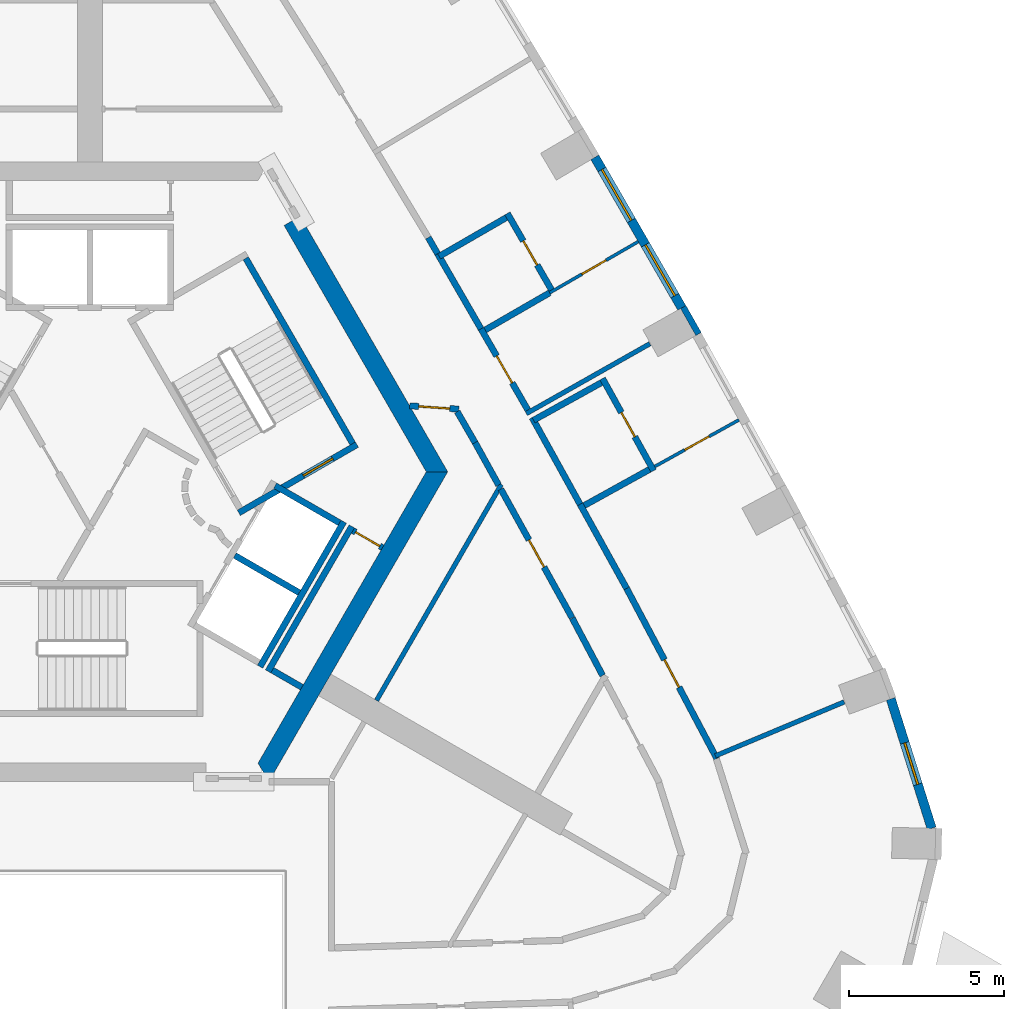
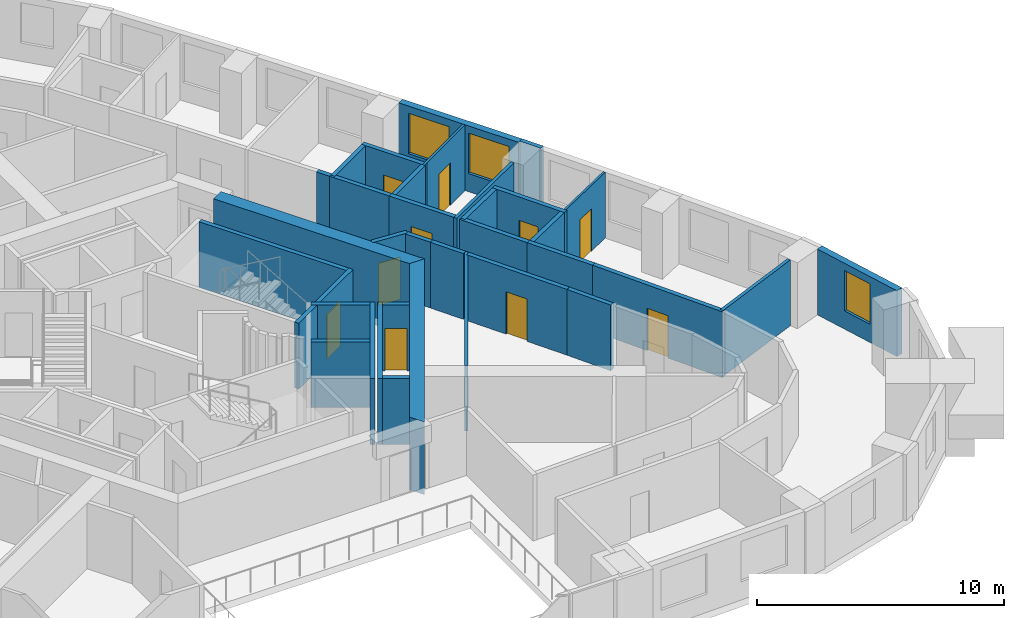
# One storey, part 7 of 13: 35 walls, 10 doors, 3 windows, 13 openings.
"""IFC4 building model written with IfcOpenShell, lengths in metres."""

from ifc_helpers import new_model, si_unit, direction, frame, frame_2d, origin, place, context, subcontext, project, spatial, polyline, rectangle, outline, extrude, material, layer, layer_set, type_object, element, fill, save


model = new_model("IFC4")

# Units and contexts
model_context = context("Model", 3, precision=1e-05, world=origin(), true_north=direction((0.0, 1.0)))
body_context = subcontext(model_context, "Body", "Model", "MODEL_VIEW")
ifc_project = project(units=[si_unit("LENGTHUNIT", "METRE"), si_unit("AREAUNIT", "SQUARE_METRE"), si_unit("VOLUMEUNIT", "CUBIC_METRE"), si_unit("PLANEANGLEUNIT", "RADIAN"), si_unit("MASSUNIT", "GRAM", prefix="KILO")], contexts=[model_context])

# Site, building, storey
site_placement = place(None, origin())
site = spatial("IfcSite", under=ifc_project, at=site_placement, CompositionType="ELEMENT")
building_placement = place(site_placement, origin())
building = spatial("IfcBuilding", under=site, at=building_placement, Name="Entoto Arch Interchange Tower", CompositionType="ELEMENT")
storey_placement = place(building_placement, frame((0.0, 0.0, 270.199951171875)))
storey = spatial("IfcBuildingStorey", under=building, at=storey_placement, Name="L62", CompositionType="ELEMENT", Elevation=270.199951171875)

# Walls
ifc_material_1 = material(Name="Concrete C40/50", Category="concrete")
ifc_layer_1 = layer(ifc_material_1, 0.60009765625)
ifc_layer_set_1 = layer_set([ifc_layer_1], Name="Concrete C40/50")
wall_type_1 = type_object("IfcWallType", Name="Core wall 600 C40/50", PredefinedType="SHEAR", material=ifc_layer_set_1)
wall_1_placement = place(storey_placement, frame((0.0, 0.0, -0.33984375)))
element("IfcWall", 1, at=wall_1_placement, inside=storey, type_object=wall_type_1, Name="Core wall NE L62", PredefinedType="SHEAR", context=body_context, shape_type="SweptSolid", body=[
    extrude(outline(polyline([(6.785888671875, 10.7470703125), (6.26611328125, 10.447021484375), (10.85400390625, 2.5), (11.547119140625, 2.5), (6.785888671875, 10.7470703125)])), origin(), (0.0, 0.0, 1.0), 3.599853515625),
])
wall_2_placement = place(storey_placement, frame((0.0, 0.0, -0.33984375)))
element("IfcWall", 2, at=wall_2_placement, inside=storey, type_object=wall_type_1, Name="Core wall SE L62", PredefinedType="SHEAR", context=body_context, shape_type="SweptSolid", body=[
    extrude(outline(polyline([(5.77392578125, -7.5), (11.547119140625, 2.5), (10.85400390625, 2.5), (5.427001953125, -6.89990234375), (5.77392578125, -7.5)])), origin(), (0.0, 0.0, 1.0), 3.599853515625),
])
ifc_layer_2 = layer(ifc_material_1, 0.199951171875)
ifc_layer_set_2 = layer_set([ifc_layer_2], Name="Concrete C40/50")
wall_type_2 = type_object("IfcWallType", Name="LIFT SHAFT WALL 200", PredefinedType="STANDARD", material=ifc_layer_set_2)
wall_3_placement = place(storey_placement, frame((5.491943359375, -3.7880859375, 0.0), z_axis=(0.0, 0.0, 1.0), x_axis=(0.500034260056, 0.866005622828, 0.0)))
element("IfcWall", 3, at=wall_3_placement, inside=storey, type_object=wall_type_2, Name="Shaft wall SE1 back", PredefinedType="STANDARD", context=body_context, shape_type="SweptSolid", body=[
    extrude(rectangle(XDim=5.3994140625, YDim=0.199951171875, at=frame_2d((2.69970703125, 0.0))), origin(), (0.0, 0.0, 1.0), 3.260009765625),
])
for number, where, z_axis, x_axis, name in (
    (4, (4.677001953125, -0.199951171875, 0.0), (0.0, 0.0, 1.0), (0.865973769406, -0.500089422704, 0.0), "Shaft wall SE1 cross 2"),
    (5, (5.97705078125, 2.052001953125, 0.0), (0.0, 0.0, 1.0), (0.865973769406, -0.500089422704, 0.0), "Shaft wall SE1 cross 3"),
):
    element("IfcWall", number, at=place(storey_placement, frame(where, z_axis=z_axis, x_axis=x_axis)), inside=storey, type_object=wall_type_2, Name=name, PredefinedType="STANDARD", context=body_context, shape_type="SweptSolid", body=[
        extrude(rectangle(XDim=2.3994140625, YDim=0.199951171875, at=frame_2d((1.19970703125, 0.0))), origin(), (0.0, 0.0, 1.0), 3.260009765625),
    ])

# Wall, opening, door
ifc_material_2 = material(Name="Gypsum board partition on steel studs", Category="steel")
ifc_layer_3 = layer(ifc_material_2, 0.10009765625)
ifc_layer_set_3 = layer_set([ifc_layer_3], Name="Gypsum board partition on steel studs")
wall_type_3 = type_object("IfcWallType", Name="PARTITION 100", PredefinedType="PARTITIONING", material=ifc_layer_set_3)
wall_4_placement = place(storey_placement, frame((18.22802734375, 2.6708984375, 0.0), z_axis=(0.0, 0.0, 1.0), x_axis=(0.874895591854, 0.484311576729, 0.0)))
wall_4 = element("IfcWall", 6, at=wall_4_placement, inside=storey, type_object=wall_type_3, Name="wall:L62:p113", PredefinedType="PARTITIONING", context=body_context, shape_type="SweptSolid", body=[
    extrude(rectangle(XDim=3.099609375, YDim=0.10009765625, at=frame_2d((1.5498046875, 0.0))), origin(), (0.0, 0.0, 1.0), 3.260009765625),
])
opening_1_placement = place(wall_4_placement, frame((1.10009765625, 0.0, 0.0)))
opening_1 = element("IfcOpeningElement", 7, at=opening_1_placement, cuts=wall_4, Name="Opening L62-D02", PredefinedType="OPENING", context=body_context, shape_type="SweptSolid", body=[
    extrude(rectangle(XDim=0.89990234375, YDim=2.10009765625, at=frame_2d((0.449951171875, 1.050048828125))), frame((0.0, 0.06005859375, 0.0), z_axis=(0.0, -1.0, 0.0), x_axis=(1.0, 0.0, 0.0)), (0.0, 0.0, 1.0), 0.1201171875),
])
ifc_material_3 = material(Name="Timber door leaf in Steel S235 frame", Category="steel")
door_type_1 = type_object("IfcDoorType", Name="DOOR DS-09 900x2100", OperationType="SINGLE_SWING_LEFT", PredefinedType="DOOR", material=ifc_material_3)
door_1_placement = place(opening_1_placement, origin())
door_1 = element("IfcDoor", 8, at=door_1_placement, inside=storey, type_object=door_type_1, Name="door:L62:02", OperationType="SINGLE_SWING_RIGHT", OverallHeight=2.10009765625, OverallWidth=0.89990234375, PredefinedType="DOOR", context=body_context, shape_type="SweptSolid", body=[
    extrude(rectangle(XDim=0.89990234375, YDim=2.10009765625, at=frame_2d((0.449951171875, 1.050048828125))), frame((0.0, 0.02490234375, 0.0), z_axis=(0.0, -1.0, 0.0), x_axis=(1.0, 0.0, 0.0)), (0.0, 0.0, 1.0), 0.050048828125),
])
fill(opening_1, door_1)

wall_5_placement = place(storey_placement, frame((14.8349609375, 8.27490234375, 0.0), z_axis=(0.0, 0.0, 1.0), x_axis=(0.8660266723, 0.49999780286, 0.0)))
wall_5 = element("IfcWall", 9, at=wall_5_placement, inside=storey, type_object=wall_type_3, Name="wall:L62:p118", PredefinedType="PARTITIONING", context=body_context, shape_type="SweptSolid", body=[
    extrude(rectangle(XDim=3.30029296875, YDim=0.10009765625, at=frame_2d((1.650146484375, 0.0))), origin(), (0.0, 0.0, 1.0), 3.260009765625),
])
opening_2_placement = place(wall_5_placement, frame((1.199951171875, 0.0, 0.0)))
opening_2 = element("IfcOpeningElement", 10, at=opening_2_placement, cuts=wall_5, Name="Opening L62-D05", PredefinedType="OPENING", context=body_context, shape_type="SweptSolid", body=[
    extrude(rectangle(XDim=0.89990234375, YDim=2.10009765625, at=frame_2d((0.449951171875, 1.050048828125))), frame((0.0, 0.06005859375, 0.0), z_axis=(0.0, -1.0, 0.0), x_axis=(1.0, 0.0, 0.0)), (0.0, 0.0, 1.0), 0.1201171875),
])
door_2_placement = place(opening_2_placement, origin())
door_2 = element("IfcDoor", 11, at=door_2_placement, inside=storey, type_object=door_type_1, Name="door:L62:05", OperationType="SINGLE_SWING_RIGHT", OverallHeight=2.10009765625, OverallWidth=0.89990234375, PredefinedType="DOOR", context=body_context, shape_type="SweptSolid", body=[
    extrude(rectangle(XDim=0.89990234375, YDim=2.10009765625, at=frame_2d((0.449951171875, 1.050048828125))), frame((0.0, 0.02490234375, 0.0), z_axis=(0.0, -1.0, 0.0), x_axis=(1.0, 0.0, 0.0)), (0.0, 0.0, 1.0), 0.050048828125),
])
fill(opening_2, door_2)

# Walls
ifc_layer_4 = layer(ifc_material_2, 0.14990234375)
ifc_layer_set_4 = layer_set([ifc_layer_4], Name="Gypsum board partition on steel studs")
wall_type_4 = type_object("IfcWallType", Name="PARTITION 150", PredefinedType="PARTITIONING", material=ifc_layer_set_4)
wall_6_placement = place(storey_placement, frame((20.18310546875, -6.666015625, 0.0), z_axis=(0.0, 0.0, 1.0), x_axis=(0.922347108299, 0.386362280525, 0.0)))
element("IfcWall", 12, at=wall_6_placement, inside=storey, type_object=wall_type_4, Name="wall:L62:p112", PredefinedType="PARTITIONING", context=body_context, shape_type="SweptSolid", body=[
    extrude(rectangle(XDim=4.50341796875, YDim=0.14990234375, at=frame_2d((2.251708984375, 0.0))), origin(), (0.0, 0.0, 1.0), 3.260009765625),
])
wall_7_placement = place(storey_placement, frame((14.0830078125, 4.376953125, 0.0), z_axis=(0.0, 0.0, 1.0), x_axis=(0.870415885751, 0.492317159799, 0.0)))
element("IfcWall", 13, at=wall_7_placement, inside=storey, type_object=wall_type_4, Name="wall:L62:p117", PredefinedType="PARTITIONING", context=body_context, shape_type="SweptSolid", body=[
    extrude(rectangle(XDim=4.58056640625, YDim=0.14990234375, at=frame_2d((2.290283203125, 0.0))), origin(), (0.0, 0.0, 1.0), 3.260009765625),
])
wall_8_placement = place(storey_placement, frame((9.25, -4.8779296875, 0.0), z_axis=(0.0, 0.0, 1.0), x_axis=(0.499982416899, 0.866035555154, 0.0)))
element("IfcWall", 14, at=wall_8_placement, inside=storey, type_object=wall_type_4, Name="wall:L62:p085", PredefinedType="PARTITIONING", context=body_context, shape_type="SweptSolid", body=[
    extrude(rectangle(XDim=8.048095703125, YDim=0.14990234375, at=frame_2d((4.02392578125, 0.0))), origin(), (0.0, 0.0, 1.0), 3.260009765625),
])
ifc_layer_5 = layer(ifc_material_2, 0.199951171875)
ifc_layer_set_5 = layer_set([ifc_layer_5], Name="Gypsum board partition on steel studs")
wall_type_5 = type_object("IfcWallType", Name="PARTITION 200", PredefinedType="PARTITIONING", material=ifc_layer_set_5)
wall_9_placement = place(storey_placement, frame((13.18798828125, 2.071044921875, 0.0), z_axis=(0.0, 0.0, 1.0), x_axis=(-0.484398936474, 0.874847226859, 0.0)))
element("IfcWall", 15, at=wall_9_placement, inside=storey, type_object=wall_type_5, Name="wall:L62:p006", PredefinedType="PARTITIONING", context=body_context, shape_type="SweptSolid", body=[
    extrude(rectangle(XDim=1.56689453125, YDim=0.199951171875, at=frame_2d((0.783447265625, 0.0))), origin(), (0.0, 0.0, 1.0), 3.260009765625),
])
wall_10_placement = place(storey_placement, frame((12.428955078125, 3.44189453125, 0.0), z_axis=(0.0, 0.0, 1.0), x_axis=(-0.500076612374, 0.865981167091, 0.0)))
element("IfcWall", 16, at=wall_10_placement, inside=storey, type_object=wall_type_5, Name="wall:L62:p007", PredefinedType="PARTITIONING", context=body_context, shape_type="SweptSolid", body=[
    extrude(rectangle(XDim=1.153564453125, YDim=0.199951171875, at=frame_2d((0.57666015625, 0.0))), origin(), (0.0, 0.0, 1.0), 3.260009765625),
])

# Wall, opening, door
wall_11_placement = place(storey_placement, frame((11.902099609375, 4.52099609375, 0.0), z_axis=(0.0, 0.0, 1.0), x_axis=(-0.997726217037, 0.067397298437, 0.0)))
wall_11 = element("IfcWall", 17, at=wall_11_placement, inside=storey, type_object=wall_type_5, Name="wall:L62:p008", PredefinedType="PARTITIONING", context=body_context, shape_type="SweptSolid", body=[
    extrude(rectangle(XDim=1.586669921875, YDim=0.199951171875, at=frame_2d((0.79345703125, 0.0))), origin(), (0.0, 0.0, 1.0), 3.260009765625),
])
opening_3_placement = place(wall_11_placement, frame((0.29296875, 0.0, 0.0)))
opening_3 = element("IfcOpeningElement", 18, at=opening_3_placement, cuts=wall_11, Name="Opening L62-D34", PredefinedType="OPENING", context=body_context, shape_type="SweptSolid", body=[
    extrude(rectangle(XDim=1.0, YDim=2.10009765625, at=frame_2d((0.5, 1.050048828125))), frame((0.0, 0.10986328125, 0.0), z_axis=(0.0, -1.0, 0.0), x_axis=(1.0, 0.0, 0.0)), (0.0, 0.0, 1.0), 0.219970703125),
])
door_type_2 = type_object("IfcDoorType", Name="DOOR DS-10 1000x2100", OperationType="SINGLE_SWING_LEFT", PredefinedType="DOOR", material=ifc_material_3)
door_3_placement = place(opening_3_placement, origin())
door_3 = element("IfcDoor", 19, at=door_3_placement, inside=storey, type_object=door_type_2, Name="door:L62:34", OperationType="SINGLE_SWING_LEFT", OverallHeight=2.10009765625, OverallWidth=1.0, PredefinedType="DOOR", context=body_context, shape_type="SweptSolid", body=[
    extrude(rectangle(XDim=1.0, YDim=2.10009765625, at=frame_2d((0.5, 1.050048828125))), frame((0.0, 0.02490234375, 0.0), z_axis=(0.0, -1.0, 0.0), x_axis=(1.0, 0.0, 0.0)), (0.0, 0.0, 1.0), 0.050048828125),
])
fill(opening_3, door_3)

# Wall
wall_12_placement = place(storey_placement, frame((16.544921875, -4.073974609375, 0.0), z_axis=(0.0, 0.0, 1.0), x_axis=(-0.468321873419, 0.883557934081, 0.0)))
element("IfcWall", 20, at=wall_12_placement, inside=storey, type_object=wall_type_5, Name="wall:L62:p021", PredefinedType="PARTITIONING", context=body_context, shape_type="SweptSolid", body=[
    extrude(rectangle(XDim=2.092529296875, YDim=0.199951171875, at=frame_2d((1.04638671875, 0.0))), origin(), (0.0, 0.0, 1.0), 3.260009765625),
])

# Wall, opening, door
wall_13_placement = place(storey_placement, frame((15.56005859375, -2.214111328125, 0.0), z_axis=(0.0, 0.0, 1.0), x_axis=(-0.484323615817, 0.874888927329, 0.0)))
wall_13 = element("IfcWall", 21, at=wall_13_placement, inside=storey, type_object=wall_type_5, Name="wall:L62:p022", PredefinedType="PARTITIONING", context=body_context, shape_type="SweptSolid", body=[
    extrude(rectangle(XDim=4.7470703125, YDim=0.199951171875, at=frame_2d((2.37353515625, 0.0))), origin(), (0.0, 0.0, 1.0), 3.260009765625),
])
opening_4_placement = place(wall_13_placement, frame((1.8740234375, 0.0, 0.0)))
opening_4 = element("IfcOpeningElement", 22, at=opening_4_placement, cuts=wall_13, Name="Opening L62-D24", PredefinedType="OPENING", context=body_context, shape_type="SweptSolid", body=[
    extrude(rectangle(XDim=1.0, YDim=2.10009765625, at=frame_2d((0.5, 1.050048828125))), frame((0.0, 0.10986328125, 0.0), z_axis=(0.0, -1.0, 0.0), x_axis=(1.0, 0.0, 0.0)), (0.0, 0.0, 1.0), 0.219970703125),
])
door_4_placement = place(opening_4_placement, origin())
door_4 = element("IfcDoor", 23, at=door_4_placement, inside=storey, type_object=door_type_2, Name="door:L62:24", OperationType="SINGLE_SWING_LEFT", OverallHeight=2.10009765625, OverallWidth=1.0, PredefinedType="DOOR", context=body_context, shape_type="SweptSolid", body=[
    extrude(rectangle(XDim=1.0, YDim=2.10009765625, at=frame_2d((0.5, 1.050048828125))), frame((0.0, 0.02490234375, 0.0), z_axis=(0.0, -1.0, 0.0), x_axis=(1.0, 0.0, 0.0)), (0.0, 0.0, 1.0), 0.050048828125),
])
fill(opening_4, door_4)

# Wall
wall_14_placement = place(storey_placement, frame((15.81689453125, 1.450927734375, 0.0), z_axis=(0.0, 0.0, 1.0), x_axis=(0.48417811398, -0.874969458863, 0.0)))
element("IfcWall", 24, at=wall_14_placement, inside=storey, type_object=wall_type_5, Name="wall:L62:p043", PredefinedType="PARTITIONING", context=body_context, shape_type="SweptSolid", body=[
    extrude(rectangle(XDim=3.1005859375, YDim=0.199951171875, at=frame_2d((1.55029296875, 0.0))), origin(), (0.0, 0.0, 1.0), 3.260009765625),
])

# Wall, opening, door
wall_15_placement = place(storey_placement, frame((17.318115234375, -1.261962890625, 0.0), z_axis=(0.0, 0.0, 1.0), x_axis=(0.468313568794, -0.883562335822, 0.0)))
wall_15 = element("IfcWall", 25, at=wall_15_placement, inside=storey, type_object=wall_type_5, Name="wall:L62:p044", PredefinedType="PARTITIONING", context=body_context, shape_type="SweptSolid", body=[
    extrude(rectangle(XDim=6.215576171875, YDim=0.199951171875, at=frame_2d((3.10791015625, 0.0))), origin(), (0.0, 0.0, 1.0), 3.260009765625),
])
opening_5_placement = place(wall_15_placement, frame((2.60791015625, 0.0, 0.0)))
opening_5 = element("IfcOpeningElement", 26, at=opening_5_placement, cuts=wall_15, Name="Opening L62-D01", PredefinedType="OPENING", context=body_context, shape_type="SweptSolid", body=[
    extrude(rectangle(XDim=1.0, YDim=2.10009765625, at=frame_2d((0.5, 1.050048828125))), frame((0.0, 0.10986328125, 0.0), z_axis=(0.0, -1.0, 0.0), x_axis=(1.0, 0.0, 0.0)), (0.0, 0.0, 1.0), 0.219970703125),
])
ifc_material_4 = material(Name="Fire-rated Steel S235 door and frame", Category="steel")
door_type_3 = type_object("IfcDoorType", Name="DOOR FD-10 1000x2100", OperationType="SINGLE_SWING_LEFT", PredefinedType="DOOR", material=ifc_material_4)
door_5_placement = place(opening_5_placement, origin())
door_5 = element("IfcDoor", 27, at=door_5_placement, inside=storey, type_object=door_type_3, Name="door:L62:01", OperationType="SINGLE_SWING_LEFT", OverallHeight=2.10009765625, OverallWidth=1.0, PredefinedType="DOOR", context=body_context, shape_type="SweptSolid", body=[
    extrude(rectangle(XDim=1.0, YDim=2.10009765625, at=frame_2d((0.5, 1.050048828125))), frame((0.0, 0.02490234375, 0.0), z_axis=(0.0, -1.0, 0.0), x_axis=(1.0, 0.0, 0.0)), (0.0, 0.0, 1.0), 0.050048828125),
])
fill(opening_5, door_5)

# Wall
wall_16_placement = place(storey_placement, frame((14.26708984375, 4.25, 0.0), z_axis=(0.0, 0.0, 1.0), x_axis=(0.4843920198, -0.874851056554, 0.0)))
element("IfcWall", 28, at=wall_16_placement, inside=storey, type_object=wall_type_5, Name="wall:L62:p045", PredefinedType="PARTITIONING", context=body_context, shape_type="SweptSolid", body=[
    extrude(rectangle(XDim=3.199462890625, YDim=0.199951171875, at=frame_2d((1.599609375, 0.0))), origin(), (0.0, 0.0, 1.0), 3.260009765625),
])

# Wall, opening, door
wall_17_placement = place(storey_placement, frame((12.6201171875, 7.111083984375, 0.0), z_axis=(0.0, 0.0, 1.0), x_axis=(0.499950733426, -0.866053845986, 0.0)))
wall_17 = element("IfcWall", 29, at=wall_17_placement, inside=storey, type_object=wall_type_5, Name="wall:L62:p046", PredefinedType="PARTITIONING", context=body_context, shape_type="SweptSolid", body=[
    extrude(rectangle(XDim=3.024169921875, YDim=0.199951171875, at=frame_2d((1.51220703125, 0.0))), origin(), (0.0, 0.0, 1.0), 3.260009765625),
])
opening_6_placement = place(wall_17_placement, frame((1.012939453125, 0.0, 0.0)))
opening_6 = element("IfcOpeningElement", 30, at=opening_6_placement, cuts=wall_17, Name="Opening L62-D04", PredefinedType="OPENING", context=body_context, shape_type="SweptSolid", body=[
    extrude(rectangle(XDim=1.0, YDim=2.10009765625, at=frame_2d((0.5, 1.050048828125))), frame((0.0, 0.10986328125, 0.0), z_axis=(0.0, -1.0, 0.0), x_axis=(1.0, 0.0, 0.0)), (0.0, 0.0, 1.0), 0.219970703125),
])
door_6_placement = place(opening_6_placement, origin())
door_6 = element("IfcDoor", 31, at=door_6_placement, inside=storey, type_object=door_type_3, Name="door:L62:04", OperationType="SINGLE_SWING_LEFT", OverallHeight=2.10009765625, OverallWidth=1.0, PredefinedType="DOOR", context=body_context, shape_type="SweptSolid", body=[
    extrude(rectangle(XDim=1.0, YDim=2.10009765625, at=frame_2d((0.5, 1.050048828125))), frame((0.0, 0.02490234375, 0.0), z_axis=(0.0, -1.0, 0.0), x_axis=(1.0, 0.0, 0.0)), (0.0, 0.0, 1.0), 0.050048828125),
])
fill(opening_6, door_6)

# Walls
wall_18_placement = place(storey_placement, frame((10.9189453125, 10.056884765625, 0.0), z_axis=(0.0, 0.0, 1.0), x_axis=(0.500284357783, -0.865861167485, 0.0)))
element("IfcWall", 32, at=wall_18_placement, inside=storey, type_object=wall_type_5, Name="wall:L62:p048", PredefinedType="PARTITIONING", context=body_context, shape_type="SweptSolid", body=[
    extrude(rectangle(XDim=0.601806640625, YDim=0.199951171875, at=frame_2d((0.30078125, 0.0))), origin(), (0.0, 0.0, 1.0), 3.260009765625),
])
wall_19_placement = place(storey_placement, frame((11.219970703125, 9.535888671875, 0.0), z_axis=(0.0, 0.0, 1.0), x_axis=(0.500049511043, -0.865996816683, 0.0)))
element("IfcWall", 33, at=wall_19_placement, inside=storey, type_object=wall_type_5, Name="wall:L62:p049", PredefinedType="PARTITIONING", context=body_context, shape_type="SweptSolid", body=[
    extrude(rectangle(XDim=2.800048828125, YDim=0.199951171875, at=frame_2d((1.39990234375, 0.0))), origin(), (0.0, 0.0, 1.0), 3.260009765625),
])
wall_20_placement = place(storey_placement, frame((5.7509765625, -3.93798828125, 0.0), z_axis=(0.0, 0.0, 1.0), x_axis=(0.500034260056, 0.866005622828, 0.0)))
element("IfcWall", 34, at=wall_20_placement, inside=storey, type_object=wall_type_5, Name="wall:L62:p075", PredefinedType="PARTITIONING", context=body_context, shape_type="SweptSolid", body=[
    extrude(rectangle(XDim=5.3994140625, YDim=0.199951171875, at=frame_2d((2.69970703125, 0.0))), origin(), (0.0, 0.0, 1.0), 3.260009765625),
])

# Wall, opening, door
wall_21_placement = place(storey_placement, frame((8.488037109375, 0.60205078125, 0.0), z_axis=(0.0, 0.0, 1.0), x_axis=(0.866063652425, -0.499933745558, 0.0)))
wall_21 = element("IfcWall", 35, at=wall_21_placement, inside=storey, type_object=wall_type_5, Name="wall:L62:p076", PredefinedType="PARTITIONING", context=body_context, shape_type="SweptSolid", body=[
    extrude(rectangle(XDim=1.100341796875, YDim=0.199951171875, at=frame_2d((0.55029296875, 0.0))), origin(), (0.0, 0.0, 1.0), 3.260009765625),
])
opening_7_placement = place(wall_21_placement, frame((0.10009765625, 0.0, 0.0)))
opening_7 = element("IfcOpeningElement", 36, at=opening_7_placement, cuts=wall_21, Name="Opening L62-D38", PredefinedType="OPENING", context=body_context, shape_type="SweptSolid", body=[
    extrude(rectangle(XDim=0.89990234375, YDim=2.10009765625, at=frame_2d((0.449951171875, 1.050048828125))), frame((0.0, 0.10986328125, 0.0), z_axis=(0.0, -1.0, 0.0), x_axis=(1.0, 0.0, 0.0)), (0.0, 0.0, 1.0), 0.219970703125),
])
door_7_placement = place(opening_7_placement, origin())
door_7 = element("IfcDoor", 37, at=door_7_placement, inside=storey, type_object=door_type_1, Name="door:L62:38", OperationType="SINGLE_SWING_RIGHT", OverallHeight=2.10009765625, OverallWidth=0.89990234375, PredefinedType="DOOR", context=body_context, shape_type="SweptSolid", body=[
    extrude(rectangle(XDim=0.89990234375, YDim=2.10009765625, at=frame_2d((0.449951171875, 1.050048828125))), frame((0.0, 0.02490234375, 0.0), z_axis=(0.0, -1.0, 0.0), x_axis=(1.0, 0.0, 0.0)), (0.0, 0.0, 1.0), 0.050048828125),
])
fill(opening_7, door_7)

# Walls
wall_22_placement = place(storey_placement, frame((6.841064453125, -4.451904296875, 0.0), z_axis=(0.0, 0.0, 1.0), x_axis=(-0.86621513555, 0.499671230855, 0.0)))
element("IfcWall", 38, at=wall_22_placement, inside=storey, type_object=wall_type_5, Name="wall:L62:p077", PredefinedType="PARTITIONING", context=body_context, shape_type="SweptSolid", body=[
    extrude(rectangle(XDim=1.100341796875, YDim=0.199951171875, at=frame_2d((0.55029296875, 0.0))), origin(), (0.0, 0.0, 1.0), 3.260009765625),
])
wall_23_placement = place(storey_placement, frame((15.952880859375, 1.412109375, 0.0), z_axis=(0.0, 0.0, 1.0), x_axis=(0.875014790305, 0.484096185429, 0.0)))
element("IfcWall", 39, at=wall_23_placement, inside=storey, type_object=wall_type_5, Name="wall:L62:p114", PredefinedType="PARTITIONING", context=body_context, shape_type="SweptSolid", body=[
    extrude(rectangle(XDim=2.400146484375, YDim=0.199951171875, at=frame_2d((1.2001953125, 0.0))), origin(), (0.0, 0.0, 1.0), 3.260009765625),
])

# Wall, opening, door
wall_24_placement = place(storey_placement, frame((18.18896484375, 2.534912109375, 0.0), z_axis=(0.0, 0.0, 1.0), x_axis=(-0.484447408253, 0.874820386501, 0.0)))
wall_24 = element("IfcWall", 40, at=wall_24_placement, inside=storey, type_object=wall_type_5, Name="wall:L62:p115", PredefinedType="PARTITIONING", context=body_context, shape_type="SweptSolid", body=[
    extrude(rectangle(XDim=3.399658203125, YDim=0.199951171875, at=frame_2d((1.69970703125, 0.0))), origin(), (0.0, 0.0, 1.0), 3.260009765625),
])
opening_8_placement = place(wall_24_placement, frame((1.25, 0.0, 0.0)))
opening_8 = element("IfcOpeningElement", 41, at=opening_8_placement, cuts=wall_24, Name="Opening L62-D03", PredefinedType="OPENING", context=body_context, shape_type="SweptSolid", body=[
    extrude(rectangle(XDim=0.89990234375, YDim=2.10009765625, at=frame_2d((0.449951171875, 1.050048828125))), frame((0.0, 0.10986328125, 0.0), z_axis=(0.0, -1.0, 0.0), x_axis=(1.0, 0.0, 0.0)), (0.0, 0.0, 1.0), 0.219970703125),
])
door_8_placement = place(opening_8_placement, origin())
door_8 = element("IfcDoor", 42, at=door_8_placement, inside=storey, type_object=door_type_1, Name="door:L62:03", OperationType="SINGLE_SWING_LEFT", OverallHeight=2.10009765625, OverallWidth=0.89990234375, PredefinedType="DOOR", context=body_context, shape_type="SweptSolid", body=[
    extrude(rectangle(XDim=0.89990234375, YDim=2.10009765625, at=frame_2d((0.449951171875, 1.050048828125))), frame((0.0, 0.02490234375, 0.0), z_axis=(0.0, -1.0, 0.0), x_axis=(1.0, 0.0, 0.0)), (0.0, 0.0, 1.0), 0.050048828125),
])
fill(opening_8, door_8)

# Walls
wall_25_placement = place(storey_placement, frame((16.5029296875, 5.3740234375, 0.0), z_axis=(0.0, 0.0, 1.0), x_axis=(-0.874847389013, -0.484398643615, 0.0)))
element("IfcWall", 43, at=wall_25_placement, inside=storey, type_object=wall_type_5, Name="wall:L62:p116", PredefinedType="PARTITIONING", context=body_context, shape_type="SweptSolid", body=[
    extrude(rectangle(XDim=2.5, YDim=0.199951171875, at=frame_2d((1.25, 0.0))), origin(), (0.0, 0.0, 1.0), 3.260009765625),
])
wall_26_placement = place(storey_placement, frame((12.756103515625, 7.074951171875, 0.0), z_axis=(0.0, 0.0, 1.0), x_axis=(0.866075499611, 0.499913221443, 0.0)))
element("IfcWall", 44, at=wall_26_placement, inside=storey, type_object=wall_type_5, Name="wall:L62:p119", PredefinedType="PARTITIONING", context=body_context, shape_type="SweptSolid", body=[
    extrude(rectangle(XDim=2.400390625, YDim=0.199951171875, at=frame_2d((1.2001953125, 0.0))), origin(), (0.0, 0.0, 1.0), 3.260009765625),
])

# Wall, opening, door
wall_27_placement = place(storey_placement, frame((14.946044921875, 8.281005859375, 0.0), z_axis=(0.0, 0.0, 1.0), x_axis=(-0.500001826776, 0.866024349092, 0.0)))
wall_27 = element("IfcWall", 45, at=wall_27_placement, inside=storey, type_object=wall_type_5, Name="wall:L62:p120", PredefinedType="PARTITIONING", context=body_context, shape_type="SweptSolid", body=[
    extrude(rectangle(XDim=2.9501953125, YDim=0.199951171875, at=frame_2d((1.47509765625, 0.0))), origin(), (0.0, 0.0, 1.0), 3.260009765625),
])
opening_9_placement = place(wall_27_placement, frame((1.02490234375, 0.0, 0.0)))
opening_9 = element("IfcOpeningElement", 46, at=opening_9_placement, cuts=wall_27, Name="Opening L62-D06", PredefinedType="OPENING", context=body_context, shape_type="SweptSolid", body=[
    extrude(rectangle(XDim=0.89990234375, YDim=2.10009765625, at=frame_2d((0.449951171875, 1.050048828125))), frame((0.0, 0.10986328125, 0.0), z_axis=(0.0, -1.0, 0.0), x_axis=(1.0, 0.0, 0.0)), (0.0, 0.0, 1.0), 0.219970703125),
])
door_9_placement = place(opening_9_placement, origin())
door_9 = element("IfcDoor", 47, at=door_9_placement, inside=storey, type_object=door_type_1, Name="door:L62:06", OperationType="SINGLE_SWING_LEFT", OverallHeight=2.10009765625, OverallWidth=0.89990234375, PredefinedType="DOOR", context=body_context, shape_type="SweptSolid", body=[
    extrude(rectangle(XDim=0.89990234375, YDim=2.10009765625, at=frame_2d((0.449951171875, 1.050048828125))), frame((0.0, 0.02490234375, 0.0), z_axis=(0.0, -1.0, 0.0), x_axis=(1.0, 0.0, 0.0)), (0.0, 0.0, 1.0), 0.050048828125),
])
fill(opening_9, door_9)

# Wall
wall_28_placement = place(storey_placement, frame((13.43505859375, 10.699951171875, 0.0), z_axis=(0.0, 0.0, 1.0), x_axis=(-0.866022959057, -0.500004234368, 0.0)))
element("IfcWall", 48, at=wall_28_placement, inside=storey, type_object=wall_type_5, Name="wall:L62:p121", PredefinedType="PARTITIONING", context=body_context, shape_type="SweptSolid", body=[
    extrude(rectangle(XDim=2.5, YDim=0.199951171875, at=frame_2d((1.25, 0.0))), origin(), (0.0, 0.0, 1.0), 3.260009765625),
])

# Wall, opening, door
ifc_layer_6 = layer(ifc_material_1, 0.199951171875)
ifc_layer_set_6 = layer_set([ifc_layer_6], Name="Concrete C40/50")
wall_type_6 = type_object("IfcWallType", Name="STAIR ENCLOSURE WALL 200", PredefinedType="STANDARD", material=ifc_layer_set_6)
wall_29_placement = place(storey_placement, frame((4.805908203125, 1.176025390625, 0.0), z_axis=(0.0, 0.0, 1.0), x_axis=(0.866059941101, 0.499940174841, 0.0)))
wall_29 = element("IfcWall", 49, at=wall_29_placement, inside=storey, type_object=wall_type_6, Name="Stair wall ST-NE near", PredefinedType="STANDARD", context=body_context, shape_type="SweptSolid", body=[
    extrude(rectangle(XDim=4.400390625, YDim=0.199951171875, at=frame_2d((2.2001953125, 0.0))), origin(), (0.0, 0.0, 1.0), 3.260009765625),
])
opening_10_placement = place(wall_29_placement, frame((2.39990234375, 0.0, 0.0)))
opening_10 = element("IfcOpeningElement", 50, at=opening_10_placement, cuts=wall_29, Name="Opening SD-ST-NE-L62-E", PredefinedType="OPENING", context=body_context, shape_type="SweptSolid", body=[
    extrude(rectangle(XDim=1.10009765625, YDim=2.199951171875, at=frame_2d((0.550048828125, 1.10009765625))), frame((0.0, 0.10986328125, 0.0), z_axis=(0.0, -1.0, 0.0), x_axis=(1.0, 0.0, 0.0)), (0.0, 0.0, 1.0), 0.219970703125),
])
ifc_material_5 = material(Name="Steel S235", Category="steel")
door_type_4 = type_object("IfcDoorType", Name="STAIR DOOR SD1 1100x2200", OperationType="SINGLE_SWING_LEFT", PredefinedType="DOOR", material=ifc_material_5)
door_10_placement = place(opening_10_placement, origin())
door_10 = element("IfcDoor", 51, at=door_10_placement, inside=storey, type_object=door_type_4, Name="Stair door ST-NE L62 end", OperationType="SINGLE_SWING_LEFT", OverallHeight=2.199951171875, OverallWidth=1.10009765625, PredefinedType="DOOR", context=body_context, shape_type="SweptSolid", body=[
    extrude(rectangle(XDim=1.10009765625, YDim=2.199951171875, at=frame_2d((0.550048828125, 1.10009765625))), frame((0.0, 0.02490234375, 0.0), z_axis=(0.0, -1.0, 0.0), x_axis=(1.0, 0.0, 0.0)), (0.0, 0.0, 1.0), 0.050048828125),
])
fill(opening_10, door_10)

# Wall
wall_30_placement = place(storey_placement, frame((8.47998046875, 3.412109375, 0.0), z_axis=(0.0, 0.0, 1.0), x_axis=(-0.499978703459, 0.866037698999, 0.0)))
element("IfcWall", 52, at=wall_30_placement, inside=storey, type_object=wall_type_6, Name="Stair wall ST-NE back", PredefinedType="STANDARD", context=body_context, shape_type="SweptSolid", body=[
    extrude(rectangle(XDim=6.900146484375, YDim=0.199951171875, at=frame_2d((3.4501953125, 0.0))), origin(), (0.0, 0.0, 1.0), 3.260009765625),
])

# Wall, opening, window
ifc_material_6 = material(Name="Welded tuff (ignimbrite) cladding, warm buff", Category="masonry")
ifc_layer_7 = layer(ifc_material_6, 0.300048828125)
ifc_layer_set_7 = layer_set([ifc_layer_7], Name="Welded tuff (ignimbrite) cladding, warm buff")
wall_type_7 = type_object("IfcWallType", Name="STONE INFILL WALL 300", PredefinedType="STANDARD", material=ifc_layer_set_7)
wall_31_placement = place(storey_placement, frame((27.160888671875, -9.00390625, 0.0), z_axis=(0.0, 0.0, 1.0), x_axis=(-0.30108868778, 0.953596142028, 0.0)))
wall_31 = element("IfcWall", 53, at=wall_31_placement, inside=storey, type_object=wall_type_7, Name="Facade wall SE-04 L62", PredefinedType="STANDARD", context=body_context, shape_type="SweptSolid", body=[
    extrude(rectangle(XDim=4.38037109375, YDim=0.300048828125, at=frame_2d((2.190185546875, 0.0))), origin(), (0.0, 0.0, 1.0), 3.260009765625),
])
opening_11_placement = place(wall_31_placement, frame((1.489990234375, 0.0, 0.89990234375)))
opening_11 = element("IfcOpeningElement", 54, at=opening_11_placement, cuts=wall_31, Name="Opening WH-B", PredefinedType="OPENING", context=body_context, shape_type="SweptSolid", body=[
    extrude(rectangle(XDim=1.39990234375, YDim=2.0, at=frame_2d((0.699951171875, 1.0))), frame((0.0, 0.16015625, 0.0), z_axis=(0.0, -1.0, 0.0), x_axis=(1.0, 0.0, 0.0)), (0.0, 0.0, 1.0), 0.320068359375),
])
ifc_material_7 = material(Name="Clear glass, low-e double glazed", Category="glass")
window_type_1 = type_object("IfcWindowType", Name="WINDOW WH-B 1400x2000", PartitioningType="DOUBLE_PANEL_VERTICAL", PredefinedType="WINDOW", material=ifc_material_7)
window_1_placement = place(opening_11_placement, origin())
window_1 = element("IfcWindow", 55, at=window_1_placement, inside=storey, type_object=window_type_1, Name="Window WH-B SE-04 L62", OverallHeight=2.0, OverallWidth=1.39990234375, PartitioningType="SINGLE_PANEL", PredefinedType="WINDOW", context=body_context, shape_type="SweptSolid", body=[
    extrude(rectangle(XDim=1.39990234375, YDim=2.0, at=frame_2d((0.699951171875, 1.0))), frame((0.0, 0.030029296875, 0.0), z_axis=(0.0, -1.0, 0.0), x_axis=(1.0, 0.0, 0.0)), (0.0, 0.0, 1.0), 0.06005859375),
])
fill(opening_11, window_1)

# Wall, openings, windows
wall_32_placement = place(storey_placement, frame((19.10009765625, 7.787109375, 0.0), z_axis=(0.0, 0.0, 1.0), x_axis=(-0.500041292042, 0.866001562501, 0.0)))
wall_32 = element("IfcWall", 56, at=wall_32_placement, inside=storey, type_object=wall_type_7, Name="Facade wall NE-03 L62", PredefinedType="STANDARD", context=body_context, shape_type="SweptSolid", body=[
    extrude(rectangle(XDim=5.61181640625, YDim=0.300048828125, at=frame_2d((2.805908203125, 0.0))), origin(), (0.0, 0.0, 1.0), 3.260009765625),
])
opening_12_placement = place(wall_32_placement, frame((0.452880859375, 0.0, 0.89990234375)))
opening_12 = element("IfcOpeningElement", 57, at=opening_12_placement, cuts=wall_32, Name="Opening WH-C", PredefinedType="OPENING", context=body_context, shape_type="SweptSolid", body=[
    extrude(rectangle(XDim=1.89990234375, YDim=2.0, at=frame_2d((0.949951171875, 1.0))), frame((0.0, 0.16015625, 0.0), z_axis=(0.0, -1.0, 0.0), x_axis=(1.0, 0.0, 0.0)), (0.0, 0.0, 1.0), 0.320068359375),
])
opening_13_placement = place(wall_32_placement, frame((3.259033203125, 0.0, 0.89990234375)))
opening_13 = element("IfcOpeningElement", 58, at=opening_13_placement, cuts=wall_32, Name="Opening WH-C", PredefinedType="OPENING", context=body_context, shape_type="SweptSolid", body=[
    extrude(rectangle(XDim=1.89990234375, YDim=2.0, at=frame_2d((0.949951171875, 1.0))), frame((0.0, 0.16015625, 0.0), z_axis=(0.0, -1.0, 0.0), x_axis=(1.0, 0.0, 0.0)), (0.0, 0.0, 1.0), 0.320068359375),
])
window_type_2 = type_object("IfcWindowType", Name="WINDOW WH-C 1900x2000", PartitioningType="DOUBLE_PANEL_VERTICAL", PredefinedType="WINDOW", material=ifc_material_7)
window_2_placement = place(opening_12_placement, origin())
window_2 = element("IfcWindow", 59, at=window_2_placement, inside=storey, type_object=window_type_2, Name="Window WH-C NE-03 L62", OverallHeight=2.0, OverallWidth=1.89990234375, PartitioningType="SINGLE_PANEL", PredefinedType="WINDOW", context=body_context, shape_type="SweptSolid", body=[
    extrude(rectangle(XDim=1.89990234375, YDim=2.0, at=frame_2d((0.949951171875, 1.0))), frame((0.0, 0.030029296875, 0.0), z_axis=(0.0, -1.0, 0.0), x_axis=(1.0, 0.0, 0.0)), (0.0, 0.0, 1.0), 0.06005859375),
])
fill(opening_12, window_2)
window_3_placement = place(opening_13_placement, origin())
window_3 = element("IfcWindow", 60, at=window_3_placement, inside=storey, type_object=window_type_2, Name="Window WH-C NE-03 L62", OverallHeight=2.0, OverallWidth=1.89990234375, PartitioningType="SINGLE_PANEL", PredefinedType="WINDOW", context=body_context, shape_type="SweptSolid", body=[
    extrude(rectangle(XDim=1.89990234375, YDim=2.0, at=frame_2d((0.949951171875, 1.0))), frame((0.0, 0.030029296875, 0.0), z_axis=(0.0, -1.0, 0.0), x_axis=(1.0, 0.0, 0.0)), (0.0, 0.0, 1.0), 0.06005859375),
])
fill(opening_13, window_3)

# Wall
ifc_layer_8 = layer(ifc_material_6, 0.199951171875)
ifc_layer_set_8 = layer_set([ifc_layer_8], Name="Welded tuff (ignimbrite) cladding, warm buff")
wall_type_8 = type_object("IfcWallType", Name="STONE PIER CLADDING 200", PredefinedType="STANDARD", material=ifc_layer_set_8)
wall_33_placement = place(storey_placement, frame((19.638916015625, 6.944091796875, 0.0), z_axis=(0.0, 0.0, 1.0), x_axis=(-0.491848119507, 0.870681013539, 0.0)))
element("IfcWall", 61, at=wall_33_placement, inside=storey, type_object=wall_type_8, Name="Stone pier NE03 L62", PredefinedType="STANDARD", context=body_context, shape_type="SweptSolid", body=[
    extrude(rectangle(XDim=1.000244140625, YDim=0.199951171875, at=frame_2d((0.5, 0.0))), origin(), (0.0, 0.0, 1.0), 3.260009765625),
])

save(model, "model.ifc")
